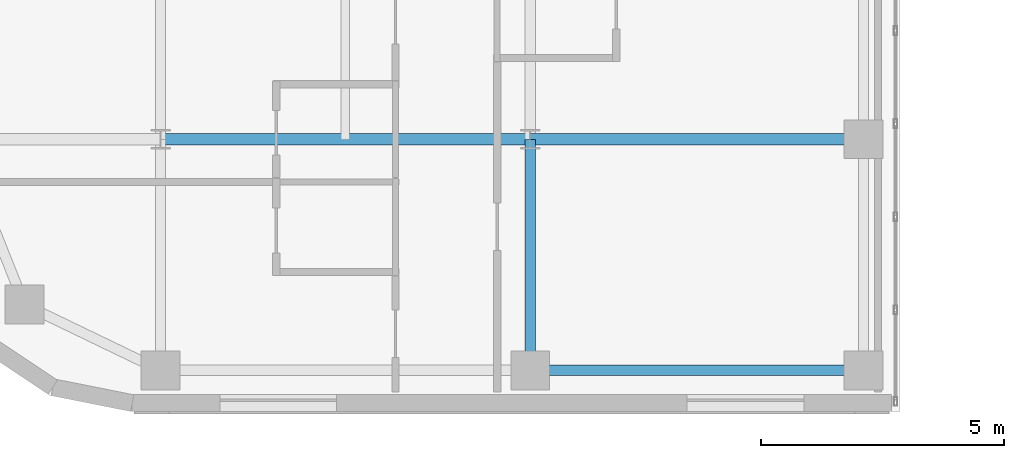
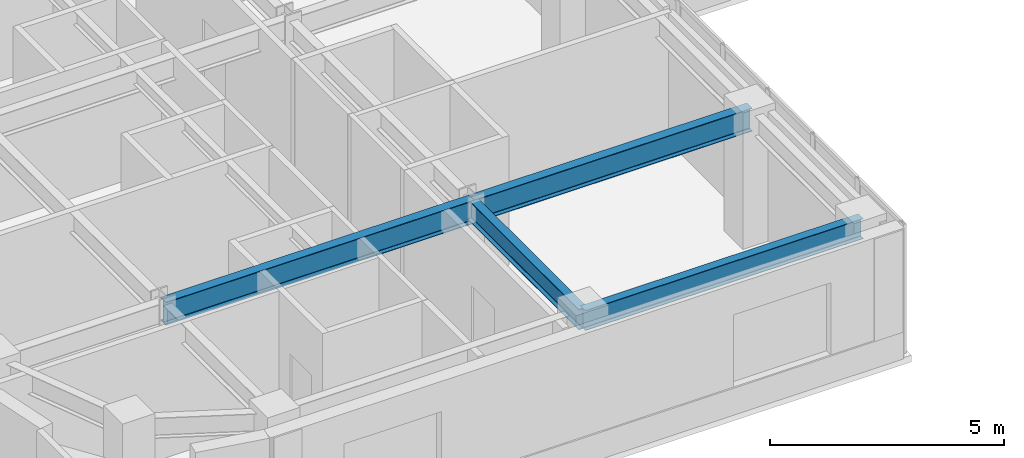
# One storey, part 4 of 28: 4 beams.
"""IFC4 building model written with IfcOpenShell, lengths in metres."""

from ifc_helpers import new_model, si_unit, direction, frame, origin, origin_2d, place, context, subcontext, project, spatial, i_section, extrude, source, transform, mapped, material, material_profile, profile_set, type_object, type_shapes, element, save


model = new_model("IFC4")

# Units and contexts
model_context = context("Model", 3, precision=1e-05, world=origin(), true_north=direction((0.0, 1.0)))
body_context = subcontext(model_context, "Body", "Model", "MODEL_VIEW")
ifc_project = project(units=[si_unit("LENGTHUNIT", "METRE"), si_unit("AREAUNIT", "SQUARE_METRE"), si_unit("VOLUMEUNIT", "CUBIC_METRE"), si_unit("PLANEANGLEUNIT", "RADIAN"), si_unit("MASSUNIT", "GRAM", prefix="KILO")], contexts=[model_context])

# Site, building, storey
site_placement = place(None, origin())
site = spatial("IfcSite", under=ifc_project, at=site_placement, CompositionType="ELEMENT")
building_placement = place(site_placement, origin())
building = spatial("IfcBuilding", under=site, at=building_placement, Name="Tolvann Quenvar Hotel", CompositionType="ELEMENT")
storey_placement = place(building_placement, frame((0.0, 0.0, 154.14990234375)))
storey = spatial("IfcBuildingStorey", under=building, at=storey_placement, Name="L40", CompositionType="ELEMENT", Elevation=154.14990234375)

# Beams
ifc_material = material(Name="Steel Grade 350", Category="steel")
ifc_material_profile_1 = material_profile(ifc_material, i_section(OverallWidth=0.208984375, OverallDepth=0.528076171875, WebThickness=0.009521484375, FlangeThickness=0.01318359375, FilletRadius=0.013916015625, at=origin_2d()), Name="530UB82")
ifc_profile_set_1 = profile_set([ifc_material_profile_1], Name="Steel Grade 350")
beam_type_1 = type_object("IfcBeamType", Name="BM_SPAND_530UB82", PredefinedType="SPANDREL", material=ifc_profile_set_1)
shared_shape_1 = source(origin(), body_context, "Body", "SweptSolid", [
    extrude(i_section(OverallWidth=0.208984375, OverallDepth=0.528076171875, WebThickness=0.009521484375, FlangeThickness=0.01318359375, FilletRadius=0.013916015625, at=origin_2d()), origin(), (0.0, 0.0, 1.0), 6.85009765625),
])
type_shapes(beam_type_1, [shared_shape_1])
beam_1_placement = place(storey_placement, frame((15.199951171875, 3.449951171875, 3.106201171875), z_axis=(1.0, 0.0, 0.0), x_axis=(0.0, 1.0, 0.0)))
element("IfcBeam", 1, at=beam_1_placement, inside=storey, type_object=beam_type_1, Name="BM-L40-EW-2-D2-E2", PredefinedType="SPANDREL", context=body_context, shape_type="MappedRepresentation", body=[
    mapped(shared_shape_1, transform((0.0, 0.0, 0.0), x_axis=(1.0, 0.0, 0.0), y_axis=(0.0, 1.0, 0.0), z_axis=(0.0, 0.0, 1.0), scale=1.0)),
])
ifc_material_profile_2 = material_profile(ifc_material, i_section(OverallWidth=0.22802734375, OverallDepth=0.60205078125, WebThickness=0.010498046875, FlangeThickness=0.014892578125, FilletRadius=0.013916015625, at=origin_2d()), Name="610UB101")
ifc_profile_set_2 = profile_set([ifc_material_profile_2], Name="Steel Grade 350")
beam_type_2 = type_object("IfcBeamType", Name="BM_GIRD_610UB101", PredefinedType="BEAM", material=ifc_profile_set_2)
shared_shape_2 = source(origin(), body_context, "Body", "SweptSolid", [
    extrude(i_section(OverallWidth=0.22802734375, OverallDepth=0.60205078125, WebThickness=0.010498046875, FlangeThickness=0.014892578125, FilletRadius=0.013916015625, at=origin_2d()), origin(), (0.0, 0.0, 1.0), 7.599853515625),
])
beam_2_placement = place(storey_placement, frame((7.60009765625, 8.199951171875, 3.069091796875), z_axis=(1.0, 0.0, 0.0), x_axis=(0.0, 1.0, 0.0)))
element("IfcBeam", 2, at=beam_2_placement, inside=storey, type_object=beam_type_2, Name="BM-L40-EW-3-C3-D3", PredefinedType="BEAM", context=body_context, shape_type="MappedRepresentation", body=[
    mapped(shared_shape_2, transform((0.0, 0.0, 0.0), x_axis=(1.0, 0.0, 0.0), y_axis=(0.0, 1.0, 0.0), z_axis=(0.0, 0.0, 1.0), scale=1.0)),
])
shared_shape_3 = source(origin(), body_context, "Body", "SweptSolid", [
    extrude(i_section(OverallWidth=0.22802734375, OverallDepth=0.60205078125, WebThickness=0.010498046875, FlangeThickness=0.014892578125, FilletRadius=0.013916015625, at=origin_2d()), origin(), (0.0, 0.0, 1.0), 6.85009765625),
])
type_shapes(beam_type_2, [shared_shape_2, shared_shape_3])
beam_3_placement = place(storey_placement, frame((15.199951171875, 8.199951171875, 3.069091796875), z_axis=(1.0, 0.0, 0.0), x_axis=(0.0, 1.0, 0.0)))
element("IfcBeam", 3, at=beam_3_placement, inside=storey, type_object=beam_type_2, Name="BM-L40-EW-3-D3-E3", PredefinedType="BEAM", context=body_context, shape_type="MappedRepresentation", body=[
    mapped(shared_shape_3, transform((0.0, 0.0, 0.0), x_axis=(1.0, 0.0, 0.0), y_axis=(0.0, 1.0, 0.0), z_axis=(0.0, 0.0, 1.0), scale=1.0)),
])
ifc_material_profile_3 = material_profile(ifc_material, i_section(OverallWidth=0.208984375, OverallDepth=0.532958984375, WebThickness=0.01025390625, FlangeThickness=0.015625, FilletRadius=0.013916015625, at=origin_2d()), Name="530UB92")
ifc_profile_set_3 = profile_set([ifc_material_profile_3], Name="Steel Grade 350")
beam_type_3 = type_object("IfcBeamType", Name="BM_GIRD_530UB92", PredefinedType="BEAM", material=ifc_profile_set_3)
shared_shape_4 = source(origin(), body_context, "Body", "SweptSolid", [
    extrude(i_section(OverallWidth=0.208984375, OverallDepth=0.532958984375, WebThickness=0.01025390625, FlangeThickness=0.015625, FilletRadius=0.013916015625, at=origin_2d()), origin(), (0.0, 0.0, 1.0), 4.75),
])
type_shapes(beam_type_3, [shared_shape_4])
beam_4_placement = place(storey_placement, frame((15.199951171875, 3.449951171875, 3.103515625), z_axis=(0.0, 1.0, 0.0), x_axis=(-1.0, 0.0, 0.0)))
element("IfcBeam", 4, at=beam_4_placement, inside=storey, type_object=beam_type_3, Name="BM-L40-NS-D2-D3", PredefinedType="BEAM", context=body_context, shape_type="MappedRepresentation", body=[
    mapped(shared_shape_4, transform((0.0, 0.0, 0.0), x_axis=(1.0, 0.0, 0.0), y_axis=(0.0, 1.0, 0.0), z_axis=(0.0, 0.0, 1.0), scale=1.0)),
])

save(model, "model.ifc")
